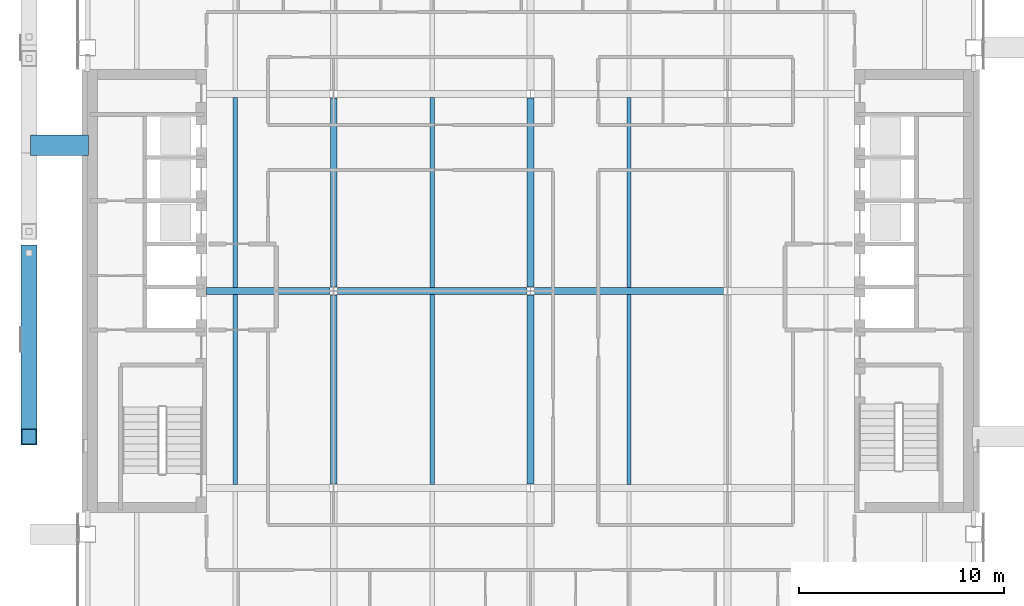
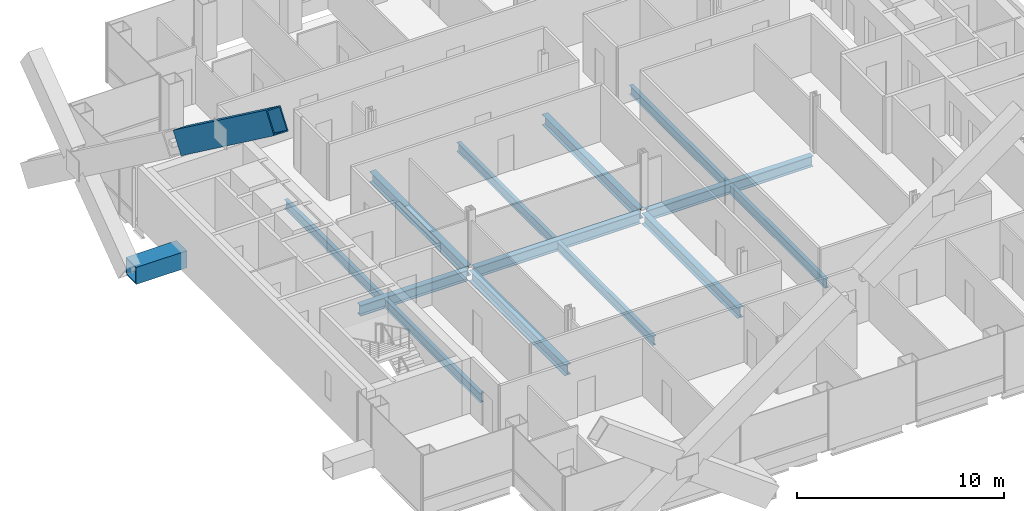
# One storey, part 5 of 18: 14 beams, 1 member.
"""IFC4 building model written with IfcOpenShell, lengths in metres."""

from ifc_helpers import new_model, si_unit, direction, frame, origin, origin_2d, place, context, subcontext, project, spatial, hollow_rectangle, i_section, extrude, material, material_profile, profile_set, type_object, element, save


model = new_model("IFC4")

# Units and contexts
model_context = context("Model", 3, precision=1e-05, world=origin(), true_north=direction((0.0, 1.0)))
body_context = subcontext(model_context, "Body", "Model", "MODEL_VIEW")
ifc_project = project(units=[si_unit("LENGTHUNIT", "METRE"), si_unit("AREAUNIT", "SQUARE_METRE"), si_unit("VOLUMEUNIT", "CUBIC_METRE"), si_unit("PLANEANGLEUNIT", "RADIAN"), si_unit("MASSUNIT", "GRAM", prefix="KILO")], contexts=[model_context])

# Site, building, storey
site_placement = place(None, origin())
site = spatial("IfcSite", under=ifc_project, at=site_placement, CompositionType="ELEMENT")
building_placement = place(site_placement, origin())
building = spatial("IfcBuilding", under=site, at=building_placement, Name="Cobrizo Arcos Hotel Tower", CompositionType="ELEMENT")
storey_placement = place(building_placement, frame((0.0, 0.0, 165.5)))
storey = spatial("IfcBuildingStorey", under=building, at=storey_placement, Name="L42", CompositionType="ELEMENT", Elevation=165.5)

# Beam
ifc_material_1 = material(Name="Steel ASTM A572 Grade 50", Category="steel")
ifc_material_profile_1 = material_profile(ifc_material_1, hollow_rectangle(XDim=1.0, YDim=1.0, WallThickness=0.06005859375, at=origin_2d()), Name="BOX 1000X1000X60")
ifc_profile_set_1 = profile_set([ifc_material_profile_1], Name="Steel ASTM A572 Grade 50")
beam_type_1 = type_object("IfcBeamType", Name="BOX 1000X1000X60 brace connector strut", PredefinedType="BEAM", material=ifc_profile_set_1)
beam_1_placement = place(storey_placement, frame((-21.550048828125, 7.1142578125, 0.5), z_axis=(-1.0, 0.0, 0.0), x_axis=(0.0, -1.0, 0.0)))
element("IfcBeam", 1, at=beam_1_placement, inside=storey, type_object=beam_type_1, Name="Perimeter brace stub BS1, zone Z3, west face, offset +7.11 m, L42", PredefinedType="BEAM", context=body_context, shape_type="SweptSolid", body=[
    extrude(hollow_rectangle(XDim=1.0, YDim=1.0, WallThickness=0.06005859375, at=origin_2d()), origin(), (0.0, 0.0, 1.0), 2.820068359375),
])

# Member
ifc_material_profile_2 = material_profile(ifc_material_1, hollow_rectangle(XDim=0.800048828125, YDim=1.300048828125, WallThickness=0.06005859375, at=origin_2d()), Name="BOX 800X1300X60")
ifc_profile_set_2 = profile_set([ifc_material_profile_2], Name="Steel ASTM A572 Grade 50")
member_type = type_object("IfcMemberType", Name="BOX 800X1300X60 perimeter brace", PredefinedType="BRACE", material=ifc_profile_set_2)
member_placement = place(storey_placement, frame((-24.449951171875, 1.84814453125, 11.385986328125), z_axis=(0.0, -0.804620954099, 0.593788784186), x_axis=(1.0, 0.0, 0.0)))
element("IfcMember", 2, at=member_placement, inside=storey, type_object=member_type, Name="Perimeter brace PBR3, zone Z3, west face, no. 10b", PredefinedType="BRACE", context=body_context, shape_type="SweptSolid", body=[
    extrude(hollow_rectangle(XDim=0.800048828125, YDim=1.300048828125, WallThickness=0.06005859375, at=origin_2d()), origin(), (0.0, 0.0, 1.0), 11.138671875),
])

# Beams
ifc_material_2 = material(Name="Steel ASTM A992 Grade 50", Category="steel")
ifc_material_profile_3 = material_profile(ifc_material_2, i_section(OverallWidth=0.209228515625, OverallDepth=0.533447265625, WebThickness=0.01025390625, FlangeThickness=0.015625, at=origin_2d()), Name="W21X62")
ifc_profile_set_3 = profile_set([ifc_material_profile_3], Name="Steel ASTM A992 Grade 50")
beam_type_2 = type_object("IfcBeamType", Name="W21X62 joist", PredefinedType="JOIST", material=ifc_profile_set_3)
for number, where, z_axis, x_axis, name in (
    (3, (-14.39990234375, -9.43603515625, -0.416748046875), (0.0, 1.0, 0.0), (-1.0, 0.0, 0.0), "Floor joist J1, L42, no. 004"),
    (4, (-14.39990234375, 0.163818359375, -0.416748046875), (0.0, 1.0, 0.0), (-1.0, 0.0, 0.0), "Floor joist J1, L42, no. 005"),
    (5, (-4.800048828125, -9.43603515625, -0.416748046875), (0.0, 1.0, 0.0), (-1.0, 0.0, 0.0), "Floor joist J1, L42, no. 008"),
    (6, (-4.800048828125, 0.163818359375, -0.416748046875), (0.0, 1.0, 0.0), (-1.0, 0.0, 0.0), "Floor joist J1, L42, no. 009"),
    (7, (4.800048828125, -9.43603515625, -0.416748046875), (0.0, 1.0, 0.0), (-1.0, 0.0, 0.0), "Floor joist J1, L42, no. 012"),
    (8, (4.800048828125, 0.163818359375, -0.416748046875), (0.0, 1.0, 0.0), (-1.0, 0.0, 0.0), "Floor joist J1, L42, no. 013"),
):
    element("IfcBeam", number, at=place(storey_placement, frame(where, z_axis=z_axis, x_axis=x_axis)), inside=storey, type_object=beam_type_2, Name=name, PredefinedType="JOIST", context=body_context, shape_type="SweptSolid", body=[
        extrude(i_section(OverallWidth=0.209228515625, OverallDepth=0.533447265625, WebThickness=0.01025390625, FlangeThickness=0.015625, at=origin_2d()), origin(), (0.0, 0.0, 1.0), 9.272216796875),
    ])
ifc_material_profile_4 = material_profile(ifc_material_2, i_section(OverallWidth=0.32763671875, OverallDepth=0.622314453125, WebThickness=0.015380859375, FlangeThickness=0.0244140625, at=origin_2d()), Name="W24X131")
ifc_profile_set_4 = profile_set([ifc_material_profile_4], Name="Steel ASTM A992 Grade 50")
beam_type_3 = type_object("IfcBeamType", Name="W24X131 girder", PredefinedType="BEAM", material=ifc_profile_set_4)
beam_2_placement = place(storey_placement, frame((-15.7900390625, 0.0, -0.461181640625), z_axis=(1.0, 0.0, 0.0), x_axis=(0.0, 1.0, 0.0)))
element("IfcBeam", 9, at=beam_2_placement, inside=storey, type_object=beam_type_3, Name="Floor girder G1, L42, no. 005", PredefinedType="BEAM", context=body_context, shape_type="SweptSolid", body=[
    extrude(i_section(OverallWidth=0.32763671875, OverallDepth=0.622314453125, WebThickness=0.015380859375, FlangeThickness=0.0244140625, at=origin_2d()), origin(), (0.0, 0.0, 1.0), 6.00341796875),
])
for number, where, z_axis, x_axis, name in (
    (10, (-9.413330078125, 0.0, -0.461181640625), (1.0, 0.0, 0.0), (0.0, 1.0, 0.0), "Floor girder G1, L42, no. 006"),
    (11, (0.186767578125, 0.0, -0.461181640625), (1.0, 0.0, 0.0), (0.0, 1.0, 0.0), "Floor girder G1, L42, no. 007"),
    (12, (-9.60009765625, -9.413330078125, -0.461181640625), (0.0, 1.0, 0.0), (-1.0, 0.0, 0.0), "Floor girder G1, L42, no. 014"),
    (13, (-9.60009765625, 0.186767578125, -0.461181640625), (0.0, 1.0, 0.0), (-1.0, 0.0, 0.0), "Floor girder G1, L42, no. 015"),
    (14, (0.0, -9.413330078125, -0.461181640625), (0.0, 1.0, 0.0), (-1.0, 0.0, 0.0), "Floor girder G1, L42, no. 018"),
    (15, (0.0, 0.186767578125, -0.461181640625), (0.0, 1.0, 0.0), (-1.0, 0.0, 0.0), "Floor girder G1, L42, no. 019"),
):
    element("IfcBeam", number, at=place(storey_placement, frame(where, z_axis=z_axis, x_axis=x_axis)), inside=storey, type_object=beam_type_3, Name=name, PredefinedType="BEAM", context=body_context, shape_type="SweptSolid", body=[
        extrude(i_section(OverallWidth=0.32763671875, OverallDepth=0.622314453125, WebThickness=0.015380859375, FlangeThickness=0.0244140625, at=origin_2d()), origin(), (0.0, 0.0, 1.0), 9.2265625),
    ])

save(model, "model.ifc")
